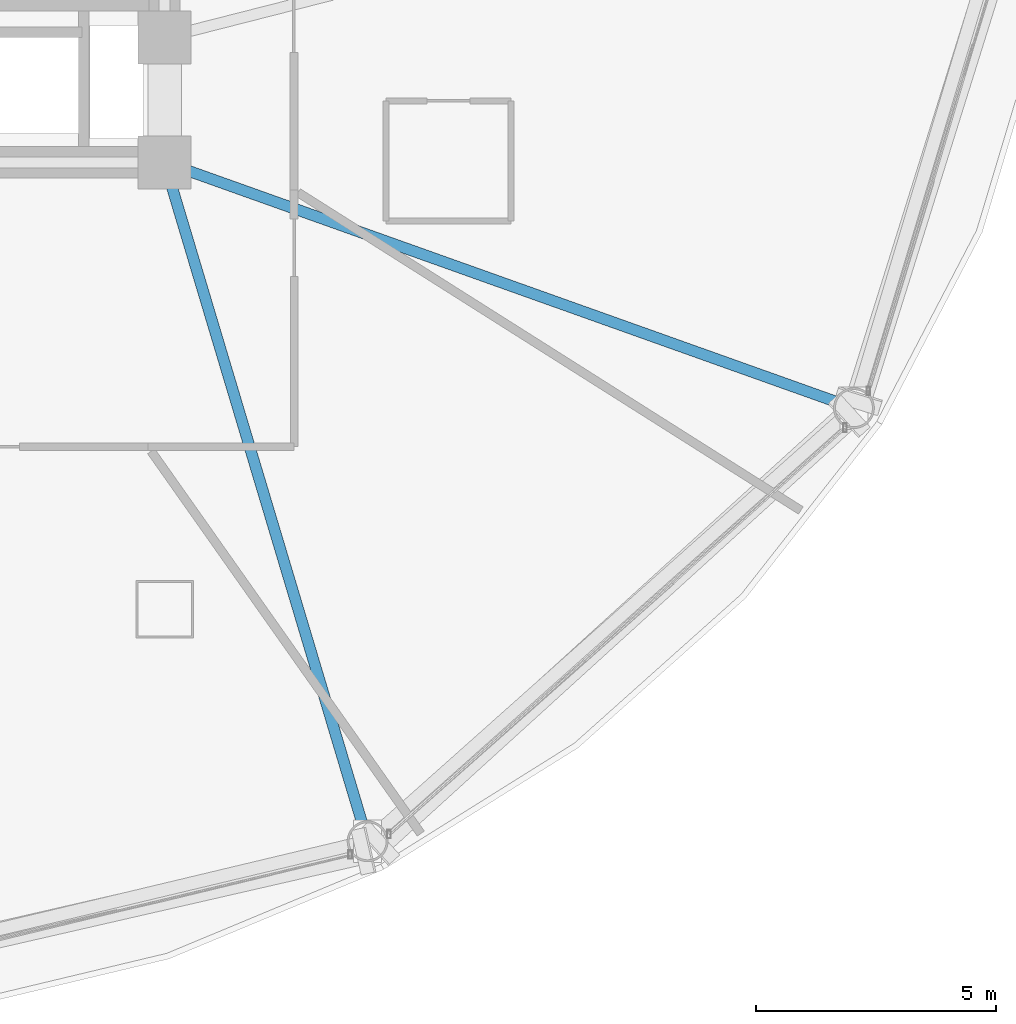
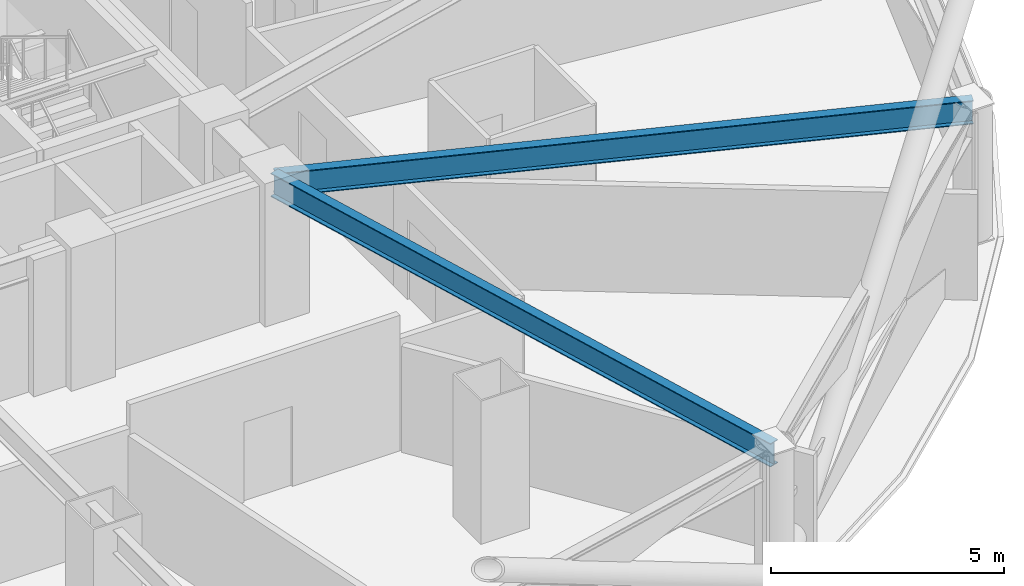
# One storey, part 9 of 33: 2 beams.
"""IFC4 building model written with IfcOpenShell, lengths in metres."""

from ifc_helpers import new_model, si_unit, direction, frame, origin, origin_2d, place, context, subcontext, project, spatial, i_section, extrude, material, material_profile, profile_set, type_object, element, save


model = new_model("IFC4")

# Units and contexts
model_context = context("Model", 3, precision=1e-05, world=origin(), true_north=direction((0.0, 1.0)))
body_context = subcontext(model_context, "Body", "Model", "MODEL_VIEW")
ifc_project = project(units=[si_unit("LENGTHUNIT", "METRE"), si_unit("AREAUNIT", "SQUARE_METRE"), si_unit("VOLUMEUNIT", "CUBIC_METRE"), si_unit("PLANEANGLEUNIT", "RADIAN"), si_unit("MASSUNIT", "GRAM", prefix="KILO")], contexts=[model_context])

# Site, building, storey
site_placement = place(None, origin())
site = spatial("IfcSite", under=ifc_project, at=site_placement, CompositionType="ELEMENT")
building_placement = place(site_placement, origin())
building = spatial("IfcBuilding", under=site, at=building_placement, Name="Vantalir Tower", CompositionType="ELEMENT")
storey_placement = place(building_placement, frame((0.0, 0.0, 72.0)))
storey = spatial("IfcBuildingStorey", under=building, at=storey_placement, Name="L17", CompositionType="ELEMENT", Elevation=72.0)

# Beams
ifc_material = material(Name="Steel S355", Category="steel")
ifc_material_profile = material_profile(ifc_material, i_section(OverallWidth=0.22998046875, OverallDepth=0.616943359375, WebThickness=0.01318359375, FlangeThickness=0.022216796875, at=origin_2d()), Name="Steel S355")
ifc_profile_set = profile_set([ifc_material_profile], Name="Steel S355")
beam_type = type_object("IfcBeamType", Name="BM-RB-610x229", PredefinedType="BEAM", material=ifc_profile_set)
beam_1_placement = place(storey_placement, frame((45.324951171875, 3.6708984375, 3.261962890625), z_axis=(-0.28648356936, 0.958085155133, 0.0), x_axis=(-0.958085155133, -0.28648356936, 0.0)))
element("IfcBeam", 1, at=beam_1_placement, inside=storey, type_object=beam_type, Name="L17 Radial Floor Beam 11", PredefinedType="BEAM", context=body_context, shape_type="SweptSolid", body=[
    extrude(i_section(OverallWidth=0.22998046875, OverallDepth=0.616943359375, WebThickness=0.01318359375, FlangeThickness=0.022216796875, at=origin_2d()), origin(), (0.0, 0.0, 1.0), 14.747314453125),
])
beam_2_placement = place(storey_placement, frame((55.446044921875, 12.68505859375, 3.261962890625), z_axis=(-0.941919846836, 0.335837761629, 0.0), x_axis=(-0.335837761629, -0.941919846836, 0.0)))
element("IfcBeam", 2, at=beam_2_placement, inside=storey, type_object=beam_type, Name="L17 Radial Floor Beam 12", PredefinedType="BEAM", context=body_context, shape_type="SweptSolid", body=[
    extrude(i_section(OverallWidth=0.22998046875, OverallDepth=0.616943359375, WebThickness=0.01318359375, FlangeThickness=0.022216796875, at=origin_2d()), origin(), (0.0, 0.0, 1.0), 15.23046875),
])

save(model, "model.ifc")
